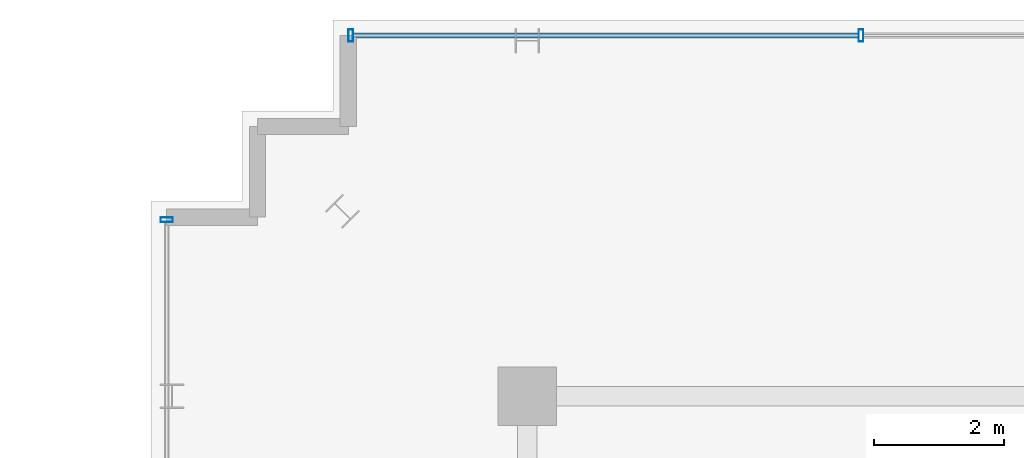
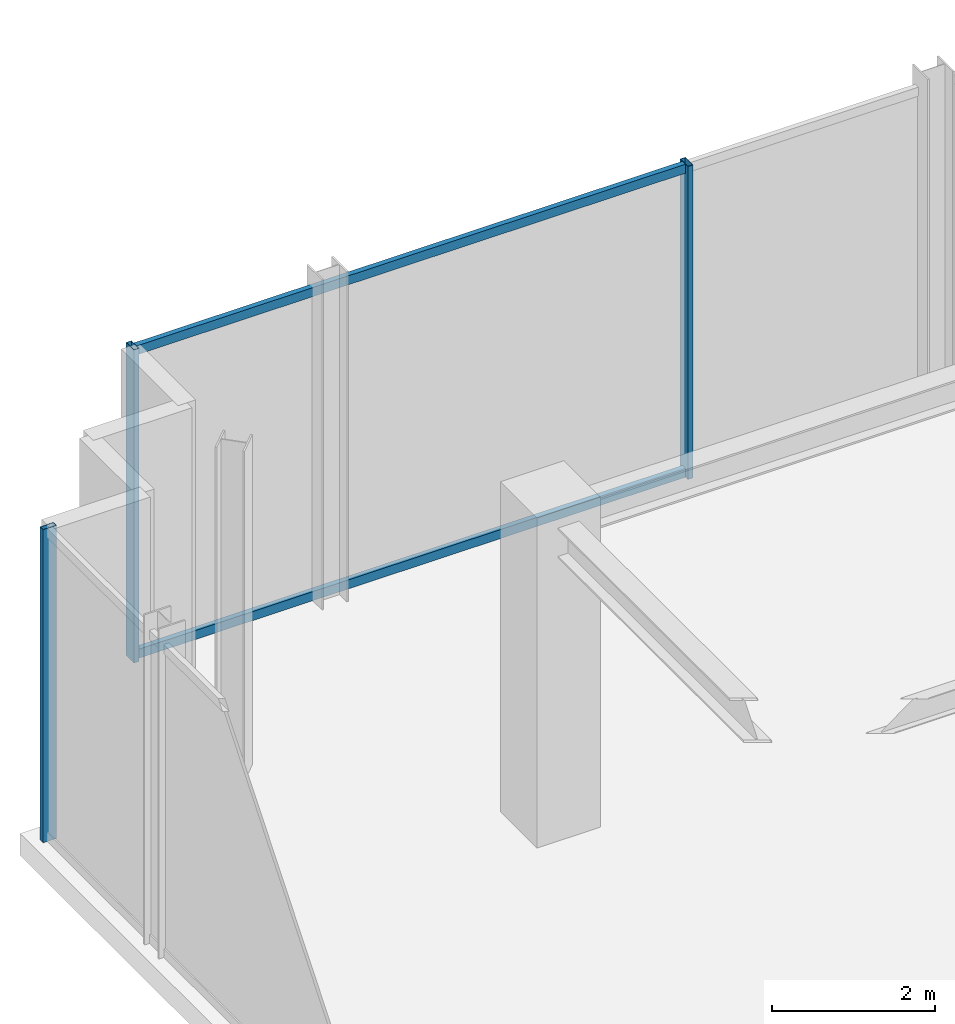
# One storey, part 17 of 28: 5 members, 2 elements without a shape of their own.
"""IFC4 building model written with IfcOpenShell, lengths in metres."""

from ifc_helpers import new_model, si_unit, direction, frame, origin, origin_2d, place, context, subcontext, project, spatial, hollow_rectangle, extrude, source, transform, mapped, material, material_profile, profile_set, type_object, element, aggregate, save


model = new_model("IFC4")

# Units and contexts
model_context = context("Model", 3, precision=1e-05, world=origin(), true_north=direction((0.0, 1.0)))
body_context = subcontext(model_context, "Body", "Model", "MODEL_VIEW")
ifc_project = project(units=[si_unit("LENGTHUNIT", "METRE"), si_unit("AREAUNIT", "SQUARE_METRE"), si_unit("VOLUMEUNIT", "CUBIC_METRE"), si_unit("PLANEANGLEUNIT", "RADIAN"), si_unit("MASSUNIT", "GRAM", prefix="KILO")], contexts=[model_context])

# Site, building, storey
site_placement = place(None, origin())
site = spatial("IfcSite", under=ifc_project, at=site_placement, CompositionType="ELEMENT")
building_placement = place(site_placement, origin())
building = spatial("IfcBuilding", under=site, at=building_placement, Name="Nahalor Promenade Grand Hotel", CompositionType="ELEMENT")
storey_placement = place(building_placement, frame((0.0, 0.0, 352.050048828125)))
storey = spatial("IfcBuildingStorey", under=building, at=storey_placement, Name="L90", CompositionType="ELEMENT", Elevation=352.050048828125)

# Curtain wall, members
ifc_material = material(Name="Anodised Bronze Aluminium EN AW-6063 T6", Category="aluminium")
curtain_wall_type = type_object("IfcCurtainWallType", Name="CW6 Crown Botanical Conservatory Curtain Wall", PredefinedType="USERDEFINED", material=ifc_material)
curtain_wall_1_placement = place(storey_placement, origin())
curtain_wall_1 = element("IfcCurtainWall", 1, at=curtain_wall_1_placement, inside=storey, type_object=curtain_wall_type, Name="L90 Curtain Wall CW-L90-N-1", ObjectType="UNITISED_CURTAIN_WALL", PredefinedType="USERDEFINED")
ifc_material_profile_1 = material_profile(ifc_material, hollow_rectangle(XDim=0.075, YDim=0.19, WallThickness=0.005, at=origin_2d()), Name="CWM 75x190x5")
ifc_profile_set_1 = profile_set([ifc_material_profile_1], Name="Anodised Bronze Aluminium EN AW-6063 T6")
member_type_1 = type_object("IfcMemberType", Name="CWM6 Conservatory Bronze Mullion 75x190", PredefinedType="MULLION", material=ifc_profile_set_1)
shared_shape_1 = source(origin(), body_context, "Body", "SweptSolid", [
    extrude(hollow_rectangle(XDim=0.075, YDim=0.19, WallThickness=0.005, at=origin_2d()), origin(), (0.0, 0.0, 1.0), 4.699951171875),
])
member_1_placement = place(storey_placement, frame((-19.722412109375, 22.56005859375, 0.0), z_axis=(0.0, 0.0, 1.0), x_axis=(1.0, 0.0, 0.0)))
member_1 = element("IfcMember", 2, at=member_1_placement, type_object=member_type_1, Name="CW-L90-N-1 Mullion 0", PredefinedType="MULLION", context=body_context, shape_type="MappedRepresentation", body=[
    mapped(shared_shape_1, transform((0.0, 0.0, 0.0), scale=1.0)),
])
member_2_placement = place(storey_placement, frame((-11.85595703125, 22.56005859375, 0.0), z_axis=(0.0, 0.0, 1.0), x_axis=(1.0, 0.0, 0.0)))
member_2 = element("IfcMember", 3, at=member_2_placement, type_object=member_type_1, Name="CW-L90-N-1 Mullion 1", PredefinedType="MULLION", context=body_context, shape_type="MappedRepresentation", body=[
    mapped(shared_shape_1, transform((0.0, 0.0, 0.0), scale=1.0)),
])

# Curtain wall, member
curtain_wall_2_placement = place(storey_placement, origin())
curtain_wall_2 = element("IfcCurtainWall", 4, at=curtain_wall_2_placement, inside=storey, type_object=curtain_wall_type, Name="L90 Curtain Wall CW-L90-W-3", ObjectType="UNITISED_CURTAIN_WALL", PredefinedType="USERDEFINED")
member_3_placement = place(storey_placement, frame((-22.56005859375, 19.722412109375, 0.0), z_axis=(0.0, 0.0, 1.0), x_axis=(0.0, 1.0, 0.0)))
member_3 = element("IfcMember", 5, at=member_3_placement, type_object=member_type_1, Name="CW-L90-W-3 Mullion 1", PredefinedType="MULLION", context=body_context, shape_type="MappedRepresentation", body=[
    mapped(shared_shape_1, transform((0.0, 0.0, 0.0), scale=1.0)),
])
aggregate(curtain_wall_2, [member_3])

# Member
ifc_material_profile_2 = material_profile(ifc_material, hollow_rectangle(XDim=0.075, YDim=0.135, WallThickness=0.004, at=origin_2d()), Name="CWT 75x135x4")
ifc_profile_set_2 = profile_set([ifc_material_profile_2], Name="Anodised Bronze Aluminium EN AW-6063 T6")
member_type_2 = type_object("IfcMemberType", Name="CWT6 Conservatory Transom 75x135", PredefinedType="USERDEFINED", material=ifc_profile_set_2)
shared_shape_2 = source(origin(), body_context, "Body", "SweptSolid", [
    extrude(hollow_rectangle(XDim=0.075, YDim=0.135, WallThickness=0.004, at=origin_2d()), origin(), (0.0, 0.0, 1.0), 7.79150390625),
])
member_4_placement = place(storey_placement, frame((-19.68505859375, 22.56005859375, 0.0673828125), z_axis=(1.0, 0.0, 0.0), x_axis=(0.0, 1.0, 0.0)))
member_4 = element("IfcMember", 6, at=member_4_placement, type_object=member_type_2, Name="CW-L90-N-1 Transom 0-0", ObjectType="TRANSOM", PredefinedType="USERDEFINED", context=body_context, shape_type="MappedRepresentation", body=[
    mapped(shared_shape_2, transform((0.0, 0.0, 0.0), scale=1.0)),
])

member_5_placement = place(storey_placement, frame((-19.68505859375, 22.56005859375, 4.632568359375), z_axis=(1.0, 0.0, 0.0), x_axis=(0.0, 1.0, 0.0)))
member_5 = element("IfcMember", 7, at=member_5_placement, type_object=member_type_2, Name="CW-L90-N-1 Transom 0-1", ObjectType="TRANSOM", PredefinedType="USERDEFINED", context=body_context, shape_type="MappedRepresentation", body=[
    mapped(shared_shape_2, transform((0.0, 0.0, 0.0), scale=1.0)),
])

aggregate(curtain_wall_1, [member_1, member_2, member_4, member_5])

save(model, "model.ifc")
